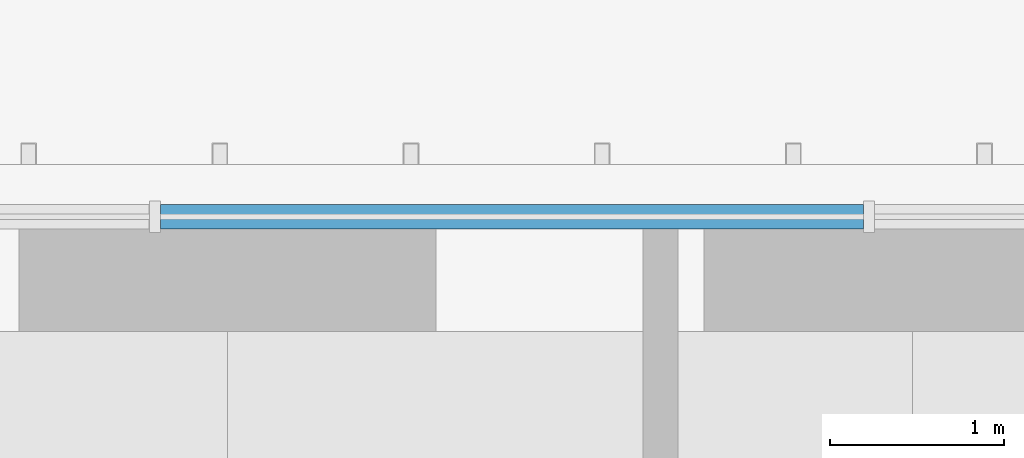
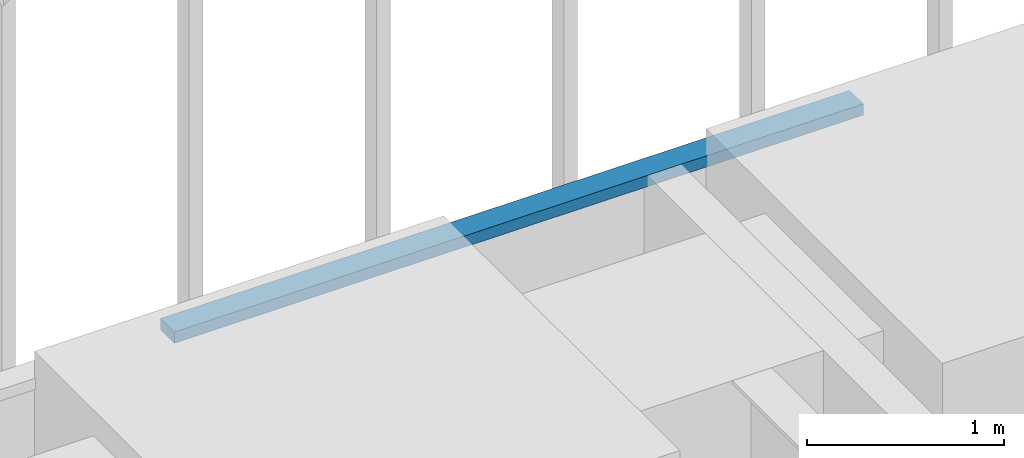
# One storey, part 161 of 238: 1 member, 1 element without a shape of its own.
"""IFC4 building model written with IfcOpenShell, lengths in metres."""

from ifc_helpers import new_model, si_unit, direction, frame, origin, origin_2d, place, context, subcontext, project, spatial, rectangle, extrude, material, material_profile, profile_set, type_object, element, aggregate, save


model = new_model("IFC4")

# Units and contexts
model_context = context("Model", 3, precision=1e-05, world=origin(), true_north=direction((0.0, 1.0)))
body_context = subcontext(model_context, "Body", "Model", "MODEL_VIEW")
ifc_project = project(units=[si_unit("LENGTHUNIT", "METRE"), si_unit("AREAUNIT", "SQUARE_METRE"), si_unit("VOLUMEUNIT", "CUBIC_METRE"), si_unit("PLANEANGLEUNIT", "RADIAN"), si_unit("MASSUNIT", "GRAM", prefix="KILO")], contexts=[model_context])

# Site, building, storey
site_placement = place(None, origin())
site = spatial("IfcSite", under=ifc_project, at=site_placement, CompositionType="ELEMENT")
building_placement = place(site_placement, origin())
building = spatial("IfcBuilding", under=site, at=building_placement, Name="Sandreach Pilgrim Tower", CompositionType="ELEMENT")
storey_placement = place(building_placement, frame((0.0, 0.0, 96.800048828125)))
storey = spatial("IfcBuildingStorey", under=building, at=storey_placement, Name="L23", CompositionType="ELEMENT", Elevation=96.800048828125)

# Curtain wall, member
ifc_material_1 = material(Name="Aluminium framed curtain wall", Category="aluminium")
curtain_wall_type = type_object("IfcCurtainWallType", Name="Hotel tower curtain wall", PredefinedType="NOTDEFINED", material=ifc_material_1)
curtain_wall_placement = place(storey_placement, origin())
curtain_wall = element("IfcCurtainWall", 1, at=curtain_wall_placement, inside=storey, type_object=curtain_wall_type, Name="CW-2 L23 N", PredefinedType="NOTDEFINED")
ifc_material_2 = material(Name="Aluminium extrusion", Category="aluminium")
ifc_material_profile = material_profile(ifc_material_2, rectangle(XDim=0.139892578125, YDim=0.070068359375, at=origin_2d()), Name="CW-2T 140X70")
ifc_profile_set = profile_set([ifc_material_profile], Name="Aluminium extrusion")
member_type = type_object("IfcMemberType", Name="CW-2 transom", PredefinedType="USERDEFINED", material=ifc_profile_set)
member_placement = place(storey_placement, frame((-10.23486328125, 22.493896484375, 3.60498046875), z_axis=(1.0, 0.0, 0.0), x_axis=(0.0, 1.0, 0.0)))
member = element("IfcMember", 2, at=member_placement, type_object=member_type, Name="CW-2 head transom 3", ObjectType="TRANSOM", PredefinedType="USERDEFINED", context=body_context, shape_type="SweptSolid", body=[
    extrude(rectangle(XDim=0.139892578125, YDim=0.070068359375, at=origin_2d()), origin(), (0.0, 0.0, 1.0), 4.0419921875),
])
aggregate(curtain_wall, [member])

save(model, "model.ifc")
